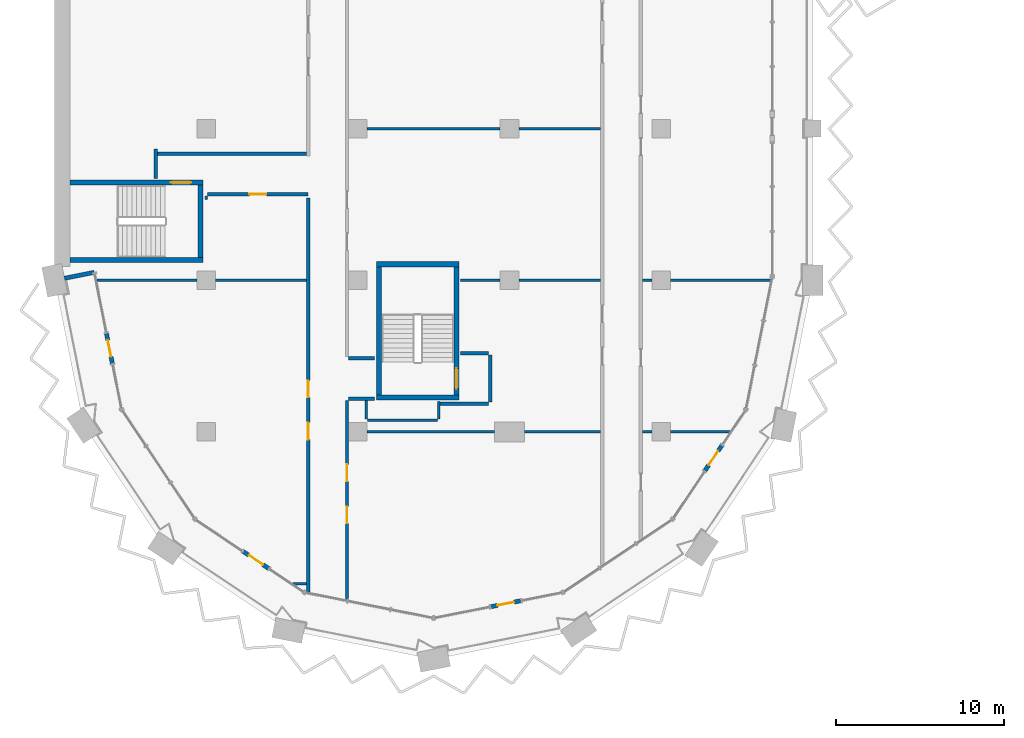
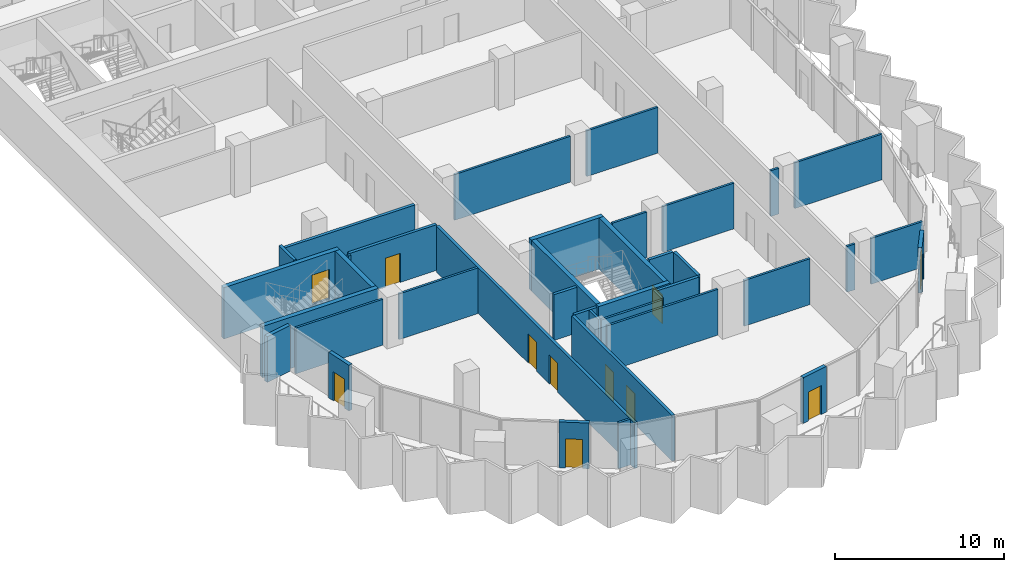
# One storey, part 6 of 18: 39 walls, 11 doors, 11 openings.
"""IFC4 building model written with IfcOpenShell, lengths in metres."""

from ifc_helpers import new_model, si_unit, direction, frame, frame_2d, origin, place, context, subcontext, project, spatial, rectangle, extrude, material, layer, layer_set, type_object, element, fill, save


model = new_model("IFC4")

# Units and contexts
model_context = context("Model", 3, precision=1e-05, world=origin(), true_north=direction((0.0, 1.0)))
body_context = subcontext(model_context, "Body", "Model", "MODEL_VIEW")
ifc_project = project(units=[si_unit("LENGTHUNIT", "METRE"), si_unit("AREAUNIT", "SQUARE_METRE"), si_unit("VOLUMEUNIT", "CUBIC_METRE"), si_unit("PLANEANGLEUNIT", "RADIAN"), si_unit("MASSUNIT", "GRAM", prefix="KILO")], contexts=[model_context])

# Site, building, storey
site_placement = place(None, origin())
site = spatial("IfcSite", under=ifc_project, at=site_placement, CompositionType="ELEMENT")
building_placement = place(site_placement, origin())
building = spatial("IfcBuilding", under=site, at=building_placement, Name="Hunhe Ridgeline Campus", CompositionType="ELEMENT")
storey_placement = place(building_placement, frame((0.0, 0.0, 182.800048828125)))
storey = spatial("IfcBuildingStorey", under=building, at=storey_placement, Name="L46", CompositionType="ELEMENT", Elevation=182.800048828125)

# Walls
ifc_material_1 = material(Name="Concrete C30", Category="concrete")
ifc_layer_1 = layer(ifc_material_1, 0.25)
ifc_layer_set_1 = layer_set([ifc_layer_1], Name="Corner return wall 250 Concrete C30")
wall_type_1 = type_object("IfcWallType", Name="Corner return wall 250 Concrete C30", PredefinedType="SOLIDWALL", material=ifc_layer_set_1)
wall_1_placement = place(storey_placement, frame((0.58837890625, 36.117919921875, 0.0), z_axis=(0.0, 0.0, 1.0), x_axis=(0.980840518545, 0.194812415363, 0.0)))
element("IfcWall", 1, at=wall_1_placement, inside=storey, type_object=wall_type_1, Name="Corner return wall 1", PredefinedType="SOLIDWALL", context=body_context, shape_type="SweptSolid", body=[
    extrude(rectangle(XDim=1.80078125, YDim=0.25, at=frame_2d((0.900390625, 0.0))), origin(), (0.0, 0.0, 1.0), 3.300048828125),
])
ifc_material_2 = material(Name="Gypsum board partition")
ifc_layer_2 = layer(ifc_material_2, 0.199951171875)
ifc_layer_set_2 = layer_set([ifc_layer_2], Name="Corridor partition 200 gypsum board on steel studs")
wall_type_2 = type_object("IfcWallType", Name="Corridor partition 200 gypsum board on steel studs", PredefinedType="PARTITIONING", material=ifc_layer_set_2)
wall_2_placement = place(storey_placement, frame((25.75, 28.675048828125, 0.0), z_axis=(0.0, 0.0, 1.0), x_axis=(-1.0, 0.0, 0.0)))
element("IfcWall", 2, at=wall_2_placement, inside=storey, type_object=wall_type_2, Name="F-L46-wall-007", PredefinedType="PARTITIONING", context=body_context, shape_type="SweptSolid", body=[
    extrude(rectangle(XDim=2.875, YDim=0.199951171875, at=frame_2d((1.4375, 0.0))), origin(), (0.0, 0.0, 1.0), 3.300048828125),
])
for number, where, z_axis, x_axis, name in (
    (3, (18.99609375, 28.97509765625, 0.0), (0.0, 0.0, 1.0), (-1.0, 0.0, 0.0), "F-L46-wall-008"),
    (4, (17.449951171875, 31.375, 0.0), (0.0, 0.0, 1.0), (1.0, 0.0, 0.0), "F-L46-wall-009"),
):
    element("IfcWall", number, at=place(storey_placement, frame(where, z_axis=z_axis, x_axis=x_axis)), inside=storey, type_object=wall_type_2, Name=name, PredefinedType="PARTITIONING", context=body_context, shape_type="SweptSolid", body=[
        extrude(rectangle(XDim=1.546142578125, YDim=0.199951171875, at=frame_2d((0.77294921875, 0.0))), origin(), (0.0, 0.0, 1.0), 3.300048828125),
    ])
wall_3_placement = place(storey_placement, frame((24.10400390625, 31.675048828125, 0.0), z_axis=(0.0, 0.0, 1.0), x_axis=(1.0, 0.0, 0.0)))
element("IfcWall", 5, at=wall_3_placement, inside=storey, type_object=wall_type_2, Name="F-L46-wall-010", PredefinedType="PARTITIONING", context=body_context, shape_type="SweptSolid", body=[
    extrude(rectangle(XDim=1.64599609375, YDim=0.199951171875, at=frame_2d((0.822998046875, 0.0))), origin(), (0.0, 0.0, 1.0), 3.300048828125),
])

# Wall, opening, door
wall_4_placement = place(storey_placement, frame((15.050048828125, 41.10009765625, 0.0), z_axis=(0.0, 0.0, 1.0), x_axis=(-1.0, 0.0, 0.0)))
wall_4 = element("IfcWall", 6, at=wall_4_placement, inside=storey, type_object=wall_type_2, Name="F-L46-wall-017", PredefinedType="PARTITIONING", context=body_context, shape_type="SweptSolid", body=[
    extrude(rectangle(XDim=5.97509765625, YDim=0.199951171875, at=frame_2d((2.987548828125, 0.0))), origin(), (0.0, 0.0, 1.0), 3.300048828125),
])
opening_1_placement = place(wall_4_placement, frame((2.487548828125, 0.0, 0.0)))
opening_1 = element("IfcOpeningElement", 7, at=opening_1_placement, cuts=wall_4, Name="Opening RD1-011", PredefinedType="OPENING", context=body_context, shape_type="SweptSolid", body=[
    extrude(rectangle(XDim=1.0, YDim=2.10009765625, at=frame_2d((0.5, 1.050048828125))), frame((0.0, 0.10009765625, 0.0), z_axis=(0.0, -1.0, 0.0), x_axis=(1.0, 0.0, 0.0)), (0.0, 0.0, 1.0), 0.199951171875),
])
ifc_material_3 = material(Name="Timber door leaf", Category="wood")
door_type_1 = type_object("IfcDoorType", Name="Single fire door 1000x2100 timber FD60", OperationType="NOTDEFINED", PredefinedType="DOOR", material=ifc_material_3)
door_1_placement = place(opening_1_placement, origin())
door_1 = element("IfcDoor", 8, at=door_1_placement, inside=storey, type_object=door_type_1, Name="F-L46-door-011", OperationType="SINGLE_SWING_LEFT", OverallHeight=2.10009765625, OverallWidth=1.0, PredefinedType="DOOR", context=body_context, shape_type="SweptSolid", body=[
    extrude(rectangle(XDim=1.0, YDim=2.10009765625, at=frame_2d((0.5, 1.050048828125))), frame((0.0, 0.02490234375, 0.0), z_axis=(0.0, -1.0, 0.0), x_axis=(1.0, 0.0, 0.0)), (0.0, 0.0, 1.0), 0.050048828125),
])
fill(opening_1, door_1)

# Walls
wall_5_placement = place(storey_placement, frame((6.10009765625, 43.5, 0.0), z_axis=(0.0, 0.0, 1.0), x_axis=(1.0, 0.0, 0.0)))
element("IfcWall", 9, at=wall_5_placement, inside=storey, type_object=wall_type_2, Name="F-L46-wall-018", PredefinedType="PARTITIONING", context=body_context, shape_type="SweptSolid", body=[
    extrude(rectangle(XDim=8.849853515625, YDim=0.199951171875, at=frame_2d((4.4248046875, 0.0))), origin(), (0.0, 0.0, 1.0), 3.300048828125),
])
wall_6_placement = place(storey_placement, frame((6.0, 42.053955078125, 0.0), z_axis=(0.0, 0.0, 1.0), x_axis=(0.0, 1.0, 0.0)))
element("IfcWall", 10, at=wall_6_placement, inside=storey, type_object=wall_type_2, Name="F-L46-wall-035", PredefinedType="PARTITIONING", context=body_context, shape_type="SweptSolid", body=[
    extrude(rectangle(XDim=1.74609375, YDim=0.199951171875, at=frame_2d((0.873046875, 0.0))), origin(), (0.0, 0.0, 1.0), 3.300048828125),
])

# Wall, openings, doors
wall_7_placement = place(storey_placement, frame((15.050048828125, 17.485107421875, 0.0), z_axis=(0.0, 0.0, 1.0), x_axis=(0.0, 1.0, 0.0)))
wall_7 = element("IfcWall", 11, at=wall_7_placement, inside=storey, type_object=wall_type_2, Name="F-L46-wall-037", PredefinedType="PARTITIONING", context=body_context, shape_type="SweptSolid", body=[
    extrude(rectangle(XDim=23.39990234375, YDim=0.199951171875, at=frame_2d((11.699951171875, 0.0))), origin(), (0.0, 0.0, 1.0), 3.300048828125),
])
opening_2_placement = place(wall_7_placement, frame((9.061279296875, 0.0, 0.0)))
opening_2 = element("IfcOpeningElement", 12, at=opening_2_placement, cuts=wall_7, Name="Opening RD1-004", PredefinedType="OPENING", context=body_context, shape_type="SweptSolid", body=[
    extrude(rectangle(XDim=1.0, YDim=2.10009765625, at=frame_2d((0.5, 1.050048828125))), frame((0.0, 0.10009765625, 0.0), z_axis=(0.0, -1.0, 0.0), x_axis=(1.0, 0.0, 0.0)), (0.0, 0.0, 1.0), 0.199951171875),
])
opening_3_placement = place(wall_7_placement, frame((11.561279296875, 0.0, 0.0)))
opening_3 = element("IfcOpeningElement", 13, at=opening_3_placement, cuts=wall_7, Name="Opening RD1-005", PredefinedType="OPENING", context=body_context, shape_type="SweptSolid", body=[
    extrude(rectangle(XDim=1.0, YDim=2.10009765625, at=frame_2d((0.5, 1.050048828125))), frame((0.0, 0.10009765625, 0.0), z_axis=(0.0, -1.0, 0.0), x_axis=(1.0, 0.0, 0.0)), (0.0, 0.0, 1.0), 0.199951171875),
])
door_2_placement = place(opening_2_placement, frame((1.0, 0.0, 0.0), z_axis=(0.0, 0.0, 1.0), x_axis=(-1.0, 0.0, 0.0)))
door_2 = element("IfcDoor", 14, at=door_2_placement, inside=storey, type_object=door_type_1, Name="F-L46-door-004", OperationType="SINGLE_SWING_LEFT", OverallHeight=2.10009765625, OverallWidth=1.0, PredefinedType="DOOR", context=body_context, shape_type="SweptSolid", body=[
    extrude(rectangle(XDim=1.0, YDim=2.10009765625, at=frame_2d((0.5, 1.050048828125))), frame((0.0, 0.02490234375, 0.0), z_axis=(0.0, -1.0, 0.0), x_axis=(1.0, 0.0, 0.0)), (0.0, 0.0, 1.0), 0.050048828125),
])
fill(opening_2, door_2)
door_3_placement = place(opening_3_placement, frame((1.0, 0.0, 0.0), z_axis=(0.0, 0.0, 1.0), x_axis=(-1.0, 0.0, 0.0)))
door_3 = element("IfcDoor", 15, at=door_3_placement, inside=storey, type_object=door_type_1, Name="F-L46-door-005", OperationType="SINGLE_SWING_LEFT", OverallHeight=2.10009765625, OverallWidth=1.0, PredefinedType="DOOR", context=body_context, shape_type="SweptSolid", body=[
    extrude(rectangle(XDim=1.0, YDim=2.10009765625, at=frame_2d((0.5, 1.050048828125))), frame((0.0, 0.02490234375, 0.0), z_axis=(0.0, -1.0, 0.0), x_axis=(1.0, 0.0, 0.0)), (0.0, 0.0, 1.0), 0.050048828125),
])
fill(opening_3, door_3)

wall_8_placement = place(storey_placement, frame((17.35009765625, 28.875, 0.0), z_axis=(0.0, 0.0, 1.0), x_axis=(0.0, -1.0, 0.0)))
wall_8 = element("IfcWall", 16, at=wall_8_placement, inside=storey, type_object=wall_type_2, Name="F-L46-wall-039", PredefinedType="PARTITIONING", context=body_context, shape_type="SweptSolid", body=[
    extrude(rectangle(XDim=11.847412109375, YDim=0.199951171875, at=frame_2d((5.923828125, 0.0))), origin(), (0.0, 0.0, 1.0), 3.300048828125),
])
opening_4_placement = place(wall_8_placement, frame((6.305908203125, 0.0, 0.0)))
opening_4 = element("IfcOpeningElement", 17, at=opening_4_placement, cuts=wall_8, Name="Opening RD1-001", PredefinedType="OPENING", context=body_context, shape_type="SweptSolid", body=[
    extrude(rectangle(XDim=1.0, YDim=2.10009765625, at=frame_2d((0.5, 1.050048828125))), frame((0.0, 0.10009765625, 0.0), z_axis=(0.0, -1.0, 0.0), x_axis=(1.0, 0.0, 0.0)), (0.0, 0.0, 1.0), 0.199951171875),
])
opening_5_placement = place(wall_8_placement, frame((3.805908203125, 0.0, 0.0)))
opening_5 = element("IfcOpeningElement", 18, at=opening_5_placement, cuts=wall_8, Name="Opening RD1-003", PredefinedType="OPENING", context=body_context, shape_type="SweptSolid", body=[
    extrude(rectangle(XDim=1.0, YDim=2.10009765625, at=frame_2d((0.5, 1.050048828125))), frame((0.0, 0.10009765625, 0.0), z_axis=(0.0, -1.0, 0.0), x_axis=(1.0, 0.0, 0.0)), (0.0, 0.0, 1.0), 0.199951171875),
])
door_4_placement = place(opening_4_placement, frame((1.0, 0.0, 0.0), z_axis=(0.0, 0.0, 1.0), x_axis=(-1.0, 0.0, 0.0)))
door_4 = element("IfcDoor", 19, at=door_4_placement, inside=storey, type_object=door_type_1, Name="F-L46-door-001", OperationType="SINGLE_SWING_RIGHT", OverallHeight=2.10009765625, OverallWidth=1.0, PredefinedType="DOOR", context=body_context, shape_type="SweptSolid", body=[
    extrude(rectangle(XDim=1.0, YDim=2.10009765625, at=frame_2d((0.5, 1.050048828125))), frame((0.0, 0.02490234375, 0.0), z_axis=(0.0, -1.0, 0.0), x_axis=(1.0, 0.0, 0.0)), (0.0, 0.0, 1.0), 0.050048828125),
])
fill(opening_4, door_4)
door_5_placement = place(opening_5_placement, frame((1.0, 0.0, 0.0), z_axis=(0.0, 0.0, 1.0), x_axis=(-1.0, 0.0, 0.0)))
door_5 = element("IfcDoor", 20, at=door_5_placement, inside=storey, type_object=door_type_1, Name="F-L46-door-003", OperationType="SINGLE_SWING_RIGHT", OverallHeight=2.10009765625, OverallWidth=1.0, PredefinedType="DOOR", context=body_context, shape_type="SweptSolid", body=[
    extrude(rectangle(XDim=1.0, YDim=2.10009765625, at=frame_2d((0.5, 1.050048828125))), frame((0.0, 0.02490234375, 0.0), z_axis=(0.0, -1.0, 0.0), x_axis=(1.0, 0.0, 0.0)), (0.0, 0.0, 1.0), 0.050048828125),
])
fill(opening_5, door_5)

# Wall
wall_9_placement = place(storey_placement, frame((25.85009765625, 31.574951171875, 0.0), z_axis=(0.0, 0.0, 1.0), x_axis=(0.0, -1.0, 0.0)))
element("IfcWall", 21, at=wall_9_placement, inside=storey, type_object=wall_type_2, Name="F-L46-wall-043", PredefinedType="PARTITIONING", context=body_context, shape_type="SweptSolid", body=[
    extrude(rectangle(XDim=2.800048828125, YDim=0.199951171875, at=frame_2d((1.39990234375, 0.0))), origin(), (0.0, 0.0, 1.0), 3.300048828125),
])

# Wall, opening, door
ifc_layer_3 = layer(ifc_material_1, 0.25)
ifc_layer_set_3 = layer_set([ifc_layer_3], Name="Loggia door pier wall 250 Concrete C30")
wall_type_3 = type_object("IfcWallType", Name="Loggia door pier wall 250 Concrete C30", PredefinedType="SOLIDWALL", material=ifc_layer_set_3)
wall_10_placement = place(storey_placement, frame((3.076904296875, 32.8388671875, 0.0), z_axis=(0.0, 0.0, 1.0), x_axis=(0.195046569833, -0.980793982239, 0.0)))
wall_10 = element("IfcWall", 22, at=wall_10_placement, inside=storey, type_object=wall_type_3, Name="Loggia door pier 1", PredefinedType="SOLIDWALL", context=body_context, shape_type="SweptSolid", body=[
    extrude(rectangle(XDim=1.800048828125, YDim=0.25, at=frame_2d((0.89990234375, 0.0))), origin(), (0.0, 0.0, 1.0), 3.300048828125),
])
opening_6_placement = place(wall_10_placement, frame((0.39990234375, 0.0, 0.0)))
opening_6 = element("IfcOpeningElement", 23, at=opening_6_placement, cuts=wall_10, Name="Opening BD401", PredefinedType="OPENING", context=body_context, shape_type="SweptSolid", body=[
    extrude(rectangle(XDim=1.0, YDim=2.10009765625, at=frame_2d((0.5, 1.050048828125))), frame((0.0, 0.125, 0.0), z_axis=(0.0, -1.0, 0.0), x_axis=(1.0, 0.0, 0.0)), (0.0, 0.0, 1.0), 0.25),
])
ifc_material_4 = material(Name="Aluminium 6063", Category="aluminium")
door_type_2 = type_object("IfcDoorType", Name="Loggia glazed door 1000x2100", OperationType="NOTDEFINED", PredefinedType="DOOR", material=ifc_material_4)
door_6_placement = place(opening_6_placement, frame((1.0, 0.0, 0.0), z_axis=(0.0, 0.0, 1.0), x_axis=(-1.0, 0.0, 0.0)))
door_6 = element("IfcDoor", 24, at=door_6_placement, inside=storey, type_object=door_type_2, Name="Loggia door BD401", OperationType="SINGLE_SWING_RIGHT", OverallHeight=2.10009765625, OverallWidth=1.0, PredefinedType="DOOR", context=body_context, shape_type="SweptSolid", body=[
    extrude(rectangle(XDim=1.0, YDim=2.10009765625, at=frame_2d((0.5, 1.050048828125))), frame((0.0, 0.02490234375, 0.0), z_axis=(0.0, -1.0, 0.0), x_axis=(1.0, 0.0, 0.0)), (0.0, 0.0, 1.0), 0.050048828125),
])
fill(opening_6, door_6)

wall_11_placement = place(storey_placement, frame((11.19970703125, 19.897705078125, 0.0), z_axis=(0.0, 0.0, 1.0), x_axis=(0.83146554274, -0.555576323502, 0.0)))
wall_11 = element("IfcWall", 25, at=wall_11_placement, inside=storey, type_object=wall_type_3, Name="Loggia door pier 2", PredefinedType="SOLIDWALL", context=body_context, shape_type="SweptSolid", body=[
    extrude(rectangle(XDim=1.800048828125, YDim=0.25, at=frame_2d((0.89990234375, 0.0))), origin(), (0.0, 0.0, 1.0), 3.300048828125),
])
opening_7_placement = place(wall_11_placement, frame((0.39990234375, 0.0, 0.0)))
opening_7 = element("IfcOpeningElement", 26, at=opening_7_placement, cuts=wall_11, Name="Opening BD402", PredefinedType="OPENING", context=body_context, shape_type="SweptSolid", body=[
    extrude(rectangle(XDim=1.0, YDim=2.10009765625, at=frame_2d((0.5, 1.050048828125))), frame((0.0, 0.125, 0.0), z_axis=(0.0, -1.0, 0.0), x_axis=(1.0, 0.0, 0.0)), (0.0, 0.0, 1.0), 0.25),
])
door_7_placement = place(opening_7_placement, frame((1.0, 0.0, 0.0), z_axis=(0.0, 0.0, 1.0), x_axis=(-1.0, 0.0, 0.0)))
door_7 = element("IfcDoor", 27, at=door_7_placement, inside=storey, type_object=door_type_2, Name="Loggia door BD402", OperationType="SINGLE_SWING_LEFT", OverallHeight=2.10009765625, OverallWidth=1.0, PredefinedType="DOOR", context=body_context, shape_type="SweptSolid", body=[
    extrude(rectangle(XDim=1.0, YDim=2.10009765625, at=frame_2d((0.5, 1.050048828125))), frame((0.0, 0.02490234375, 0.0), z_axis=(0.0, -1.0, 0.0), x_axis=(1.0, 0.0, 0.0)), (0.0, 0.0, 1.0), 0.050048828125),
])
fill(opening_7, door_7)

wall_12_placement = place(storey_placement, frame((25.8955078125, 16.62353515625, 0.0), z_axis=(0.0, 0.0, 1.0), x_axis=(0.980793982239, 0.195046569833, 0.0)))
wall_12 = element("IfcWall", 28, at=wall_12_placement, inside=storey, type_object=wall_type_3, Name="Loggia door pier 3", PredefinedType="SOLIDWALL", context=body_context, shape_type="SweptSolid", body=[
    extrude(rectangle(XDim=1.800048828125, YDim=0.25, at=frame_2d((0.89990234375, 0.0))), origin(), (0.0, 0.0, 1.0), 3.300048828125),
])
opening_8_placement = place(wall_12_placement, frame((0.39990234375, 0.0, 0.0)))
opening_8 = element("IfcOpeningElement", 29, at=opening_8_placement, cuts=wall_12, Name="Opening BD403", PredefinedType="OPENING", context=body_context, shape_type="SweptSolid", body=[
    extrude(rectangle(XDim=1.0, YDim=2.10009765625, at=frame_2d((0.5, 1.050048828125))), frame((0.0, 0.125, 0.0), z_axis=(0.0, -1.0, 0.0), x_axis=(1.0, 0.0, 0.0)), (0.0, 0.0, 1.0), 0.25),
])
door_8_placement = place(opening_8_placement, frame((1.0, 0.0, 0.0), z_axis=(0.0, 0.0, 1.0), x_axis=(-1.0, 0.0, 0.0)))
door_8 = element("IfcDoor", 30, at=door_8_placement, inside=storey, type_object=door_type_2, Name="Loggia door BD403", OperationType="SINGLE_SWING_RIGHT", OverallHeight=2.10009765625, OverallWidth=1.0, PredefinedType="DOOR", context=body_context, shape_type="SweptSolid", body=[
    extrude(rectangle(XDim=1.0, YDim=2.10009765625, at=frame_2d((0.5, 1.050048828125))), frame((0.0, 0.02490234375, 0.0), z_axis=(0.0, -1.0, 0.0), x_axis=(1.0, 0.0, 0.0)), (0.0, 0.0, 1.0), 0.050048828125),
])
fill(opening_8, door_8)

wall_13_placement = place(storey_placement, frame((38.602294921875, 24.69970703125, 0.0), z_axis=(0.0, 0.0, 1.0), x_axis=(0.555576323502, 0.83146554274, 0.0)))
wall_13 = element("IfcWall", 31, at=wall_13_placement, inside=storey, type_object=wall_type_3, Name="Loggia door pier 4", PredefinedType="SOLIDWALL", context=body_context, shape_type="SweptSolid", body=[
    extrude(rectangle(XDim=1.800048828125, YDim=0.25, at=frame_2d((0.89990234375, 0.0))), origin(), (0.0, 0.0, 1.0), 3.300048828125),
])
opening_9_placement = place(wall_13_placement, frame((0.39990234375, 0.0, 0.0)))
opening_9 = element("IfcOpeningElement", 32, at=opening_9_placement, cuts=wall_13, Name="Opening BD404", PredefinedType="OPENING", context=body_context, shape_type="SweptSolid", body=[
    extrude(rectangle(XDim=1.0, YDim=2.10009765625, at=frame_2d((0.5, 1.050048828125))), frame((0.0, 0.125, 0.0), z_axis=(0.0, -1.0, 0.0), x_axis=(1.0, 0.0, 0.0)), (0.0, 0.0, 1.0), 0.25),
])
door_9_placement = place(opening_9_placement, frame((1.0, 0.0, 0.0), z_axis=(0.0, 0.0, 1.0), x_axis=(-1.0, 0.0, 0.0)))
door_9 = element("IfcDoor", 33, at=door_9_placement, inside=storey, type_object=door_type_2, Name="Loggia door BD404", OperationType="SINGLE_SWING_LEFT", OverallHeight=2.10009765625, OverallWidth=1.0, PredefinedType="DOOR", context=body_context, shape_type="SweptSolid", body=[
    extrude(rectangle(XDim=1.0, YDim=2.10009765625, at=frame_2d((0.5, 1.050048828125))), frame((0.0, 0.02490234375, 0.0), z_axis=(0.0, -1.0, 0.0), x_axis=(1.0, 0.0, 0.0)), (0.0, 0.0, 1.0), 0.050048828125),
])
fill(opening_9, door_9)

# Walls
ifc_layer_4 = layer(ifc_material_2, 0.14990234375)
ifc_layer_set_4 = layer_set([ifc_layer_4], Name="Room partition 150 gypsum board on steel studs")
wall_type_4 = type_object("IfcWallType", Name="Room partition 150 gypsum board on steel studs", PredefinedType="PARTITIONING", material=ifc_layer_set_4)
wall_14_placement = place(storey_placement, frame((14.136962890625, 18.0, 0.0), z_axis=(0.0, 0.0, 1.0), x_axis=(1.0, 0.0, 0.0)))
element("IfcWall", 34, at=wall_14_placement, inside=storey, type_object=wall_type_4, Name="F-L46-wall-001", PredefinedType="PARTITIONING", context=body_context, shape_type="SweptSolid", body=[
    extrude(rectangle(XDim=0.81298828125, YDim=0.14990234375, at=frame_2d((0.406494140625, 0.0))), origin(), (0.0, 0.0, 1.0), 3.300048828125),
])
wall_15_placement = place(storey_placement, frame((18.550048828125, 27.0, 0.0), z_axis=(0.0, 0.0, 1.0), x_axis=(1.0, 0.0, 0.0)))
element("IfcWall", 35, at=wall_15_placement, inside=storey, type_object=wall_type_4, Name="F-L46-wall-002", PredefinedType="PARTITIONING", context=body_context, shape_type="SweptSolid", body=[
    extrude(rectangle(XDim=7.550048828125, YDim=0.14990234375, at=frame_2d((3.77490234375, 0.0))), origin(), (0.0, 0.0, 1.0), 3.300048828125),
])
wall_16_placement = place(storey_placement, frame((27.89990234375, 27.0, 0.0), z_axis=(0.0, 0.0, 1.0), x_axis=(1.0, 0.0, 0.0)))
element("IfcWall", 36, at=wall_16_placement, inside=storey, type_object=wall_type_4, Name="F-L46-wall-003", PredefinedType="PARTITIONING", context=body_context, shape_type="SweptSolid", body=[
    extrude(rectangle(XDim=4.5, YDim=0.14990234375, at=frame_2d((2.25, 0.0))), origin(), (0.0, 0.0, 1.0), 3.300048828125),
])
wall_17_placement = place(storey_placement, frame((34.89990234375, 27.0, 0.0), z_axis=(0.0, 0.0, 1.0), x_axis=(1.0, 0.0, 0.0)))
element("IfcWall", 37, at=wall_17_placement, inside=storey, type_object=wall_type_4, Name="F-L46-wall-004", PredefinedType="PARTITIONING", context=body_context, shape_type="SweptSolid", body=[
    extrude(rectangle(XDim=0.550048828125, YDim=0.14990234375, at=frame_2d((0.27490234375, 0.0))), origin(), (0.0, 0.0, 1.0), 3.300048828125),
])
wall_18_placement = place(storey_placement, frame((36.550048828125, 27.0, 0.0), z_axis=(0.0, 0.0, 1.0), x_axis=(1.0, 0.0, 0.0)))
element("IfcWall", 38, at=wall_18_placement, inside=storey, type_object=wall_type_4, Name="F-L46-wall-005", PredefinedType="PARTITIONING", context=body_context, shape_type="SweptSolid", body=[
    extrude(rectangle(XDim=3.5244140625, YDim=0.14990234375, at=frame_2d((1.76220703125, 0.0))), origin(), (0.0, 0.0, 1.0), 3.300048828125),
])
wall_19_placement = place(storey_placement, frame((18.574951171875, 27.68994140625, 0.0), z_axis=(0.0, 0.0, 1.0), x_axis=(1.0, 0.0, 0.0)))
element("IfcWall", 39, at=wall_19_placement, inside=storey, type_object=wall_type_4, Name="F-L46-wall-006", PredefinedType="PARTITIONING", context=body_context, shape_type="SweptSolid", body=[
    extrude(rectangle(XDim=4.150146484375, YDim=0.14990234375, at=frame_2d((2.0751953125, 0.0))), origin(), (0.0, 0.0, 1.0), 3.300048828125),
])
wall_20_placement = place(storey_placement, frame((2.503173828125, 36.0, 0.0), z_axis=(0.0, 0.0, 1.0), x_axis=(1.0, 0.0, 0.0)))
element("IfcWall", 40, at=wall_20_placement, inside=storey, type_object=wall_type_4, Name="F-L46-wall-011", PredefinedType="PARTITIONING", context=body_context, shape_type="SweptSolid", body=[
    extrude(rectangle(XDim=5.94677734375, YDim=0.14990234375, at=frame_2d((2.973388671875, 0.0))), origin(), (0.0, 0.0, 1.0), 3.300048828125),
])
wall_21_placement = place(storey_placement, frame((9.550048828125, 36.0, 0.0), z_axis=(0.0, 0.0, 1.0), x_axis=(1.0, 0.0, 0.0)))
element("IfcWall", 41, at=wall_21_placement, inside=storey, type_object=wall_type_4, Name="F-L46-wall-012", PredefinedType="PARTITIONING", context=body_context, shape_type="SweptSolid", body=[
    extrude(rectangle(XDim=5.39990234375, YDim=0.14990234375, at=frame_2d((2.699951171875, 0.0))), origin(), (0.0, 0.0, 1.0), 3.300048828125),
])
wall_22_placement = place(storey_placement, frame((24.10400390625, 36.0, 0.0), z_axis=(0.0, 0.0, 1.0), x_axis=(1.0, 0.0, 0.0)))
element("IfcWall", 42, at=wall_22_placement, inside=storey, type_object=wall_type_4, Name="F-L46-wall-013", PredefinedType="PARTITIONING", context=body_context, shape_type="SweptSolid", body=[
    extrude(rectangle(XDim=2.345947265625, YDim=0.14990234375, at=frame_2d((1.1728515625, 0.0))), origin(), (0.0, 0.0, 1.0), 3.300048828125),
])
wall_23_placement = place(storey_placement, frame((27.550048828125, 36.0, 0.0), z_axis=(0.0, 0.0, 1.0), x_axis=(1.0, 0.0, 0.0)))
element("IfcWall", 43, at=wall_23_placement, inside=storey, type_object=wall_type_4, Name="F-L46-wall-014", PredefinedType="PARTITIONING", context=body_context, shape_type="SweptSolid", body=[
    extrude(rectangle(XDim=4.849853515625, YDim=0.14990234375, at=frame_2d((2.4248046875, 0.0))), origin(), (0.0, 0.0, 1.0), 3.300048828125),
])
wall_24_placement = place(storey_placement, frame((34.89990234375, 36.0, 0.0), z_axis=(0.0, 0.0, 1.0), x_axis=(1.0, 0.0, 0.0)))
element("IfcWall", 44, at=wall_24_placement, inside=storey, type_object=wall_type_4, Name="F-L46-wall-015", PredefinedType="PARTITIONING", context=body_context, shape_type="SweptSolid", body=[
    extrude(rectangle(XDim=0.550048828125, YDim=0.14990234375, at=frame_2d((0.27490234375, 0.0))), origin(), (0.0, 0.0, 1.0), 3.300048828125),
])
wall_25_placement = place(storey_placement, frame((36.550048828125, 36.0, 0.0), z_axis=(0.0, 0.0, 1.0), x_axis=(1.0, 0.0, 0.0)))
element("IfcWall", 45, at=wall_25_placement, inside=storey, type_object=wall_type_4, Name="F-L46-wall-016", PredefinedType="PARTITIONING", context=body_context, shape_type="SweptSolid", body=[
    extrude(rectangle(XDim=5.94677734375, YDim=0.14990234375, at=frame_2d((2.973388671875, 0.0))), origin(), (0.0, 0.0, 1.0), 3.300048828125),
])
wall_26_placement = place(storey_placement, frame((18.550048828125, 45.0, 0.0), z_axis=(0.0, 0.0, 1.0), x_axis=(1.0, 0.0, 0.0)))
element("IfcWall", 46, at=wall_26_placement, inside=storey, type_object=wall_type_4, Name="F-L46-wall-019", PredefinedType="PARTITIONING", context=body_context, shape_type="SweptSolid", body=[
    extrude(rectangle(XDim=7.89990234375, YDim=0.14990234375, at=frame_2d((3.949951171875, 0.0))), origin(), (0.0, 0.0, 1.0), 3.300048828125),
])
wall_27_placement = place(storey_placement, frame((27.550048828125, 45.0, 0.0), z_axis=(0.0, 0.0, 1.0), x_axis=(1.0, 0.0, 0.0)))
element("IfcWall", 47, at=wall_27_placement, inside=storey, type_object=wall_type_4, Name="F-L46-wall-020", PredefinedType="PARTITIONING", context=body_context, shape_type="SweptSolid", body=[
    extrude(rectangle(XDim=4.849853515625, YDim=0.14990234375, at=frame_2d((2.4248046875, 0.0))), origin(), (0.0, 0.0, 1.0), 3.300048828125),
])
wall_28_placement = place(storey_placement, frame((9.0, 41.0, 0.0), z_axis=(0.0, 0.0, 1.0), x_axis=(0.0, -1.0, 0.0)))
element("IfcWall", 48, at=wall_28_placement, inside=storey, type_object=wall_type_4, Name="F-L46-wall-036", PredefinedType="PARTITIONING", context=body_context, shape_type="SweptSolid", body=[
    extrude(rectangle(XDim=0.199951171875, YDim=0.14990234375, at=frame_2d((0.10009765625, 0.0))), origin(), (0.0, 0.0, 1.0), 3.300048828125),
])
wall_29_placement = place(storey_placement, frame((18.5, 28.875, 0.0), z_axis=(0.0, 0.0, 1.0), x_axis=(0.0, -1.0, 0.0)))
element("IfcWall", 49, at=wall_29_placement, inside=storey, type_object=wall_type_4, Name="F-L46-wall-041", PredefinedType="PARTITIONING", context=body_context, shape_type="SweptSolid", body=[
    extrude(rectangle(XDim=1.110107421875, YDim=0.14990234375, at=frame_2d((0.55517578125, 0.0))), origin(), (0.0, 0.0, 1.0), 3.300048828125),
])
wall_30_placement = place(storey_placement, frame((22.800048828125, 28.7958984375, 0.0), z_axis=(0.0, 0.0, 1.0), x_axis=(0.0, -1.0, 0.0)))
element("IfcWall", 50, at=wall_30_placement, inside=storey, type_object=wall_type_4, Name="F-L46-wall-042", PredefinedType="PARTITIONING", context=body_context, shape_type="SweptSolid", body=[
    extrude(rectangle(XDim=1.031005859375, YDim=0.14990234375, at=frame_2d((0.515625, 0.0))), origin(), (0.0, 0.0, 1.0), 3.300048828125),
])
ifc_material_5 = material(Name="Concrete C60", Category="concrete")
ifc_layer_5 = layer(ifc_material_5, 0.300048828125)
ifc_layer_set_5 = layer_set([ifc_layer_5], Name="Stair wall 300 reinforced concrete C60")
wall_type_5 = type_object("IfcWallType", Name="Stair wall 300 reinforced concrete C60", PredefinedType="SOLIDWALL", material=ifc_layer_set_5)
for number, where, z_axis, x_axis, name in (
    (51, (19.10009765625, 29.050048828125, -0.400146484375), (0.0, 0.0, 1.0), (1.0, 0.0, 0.0), "L46 core wall 1"),
    (52, (19.10009765625, 36.949951171875, -0.400146484375), (0.0, 0.0, 1.0), (1.0, 0.0, 0.0), "L46 core wall 2"),
):
    element("IfcWall", number, at=place(storey_placement, frame(where, z_axis=z_axis, x_axis=x_axis)), inside=storey, type_object=wall_type_5, Name=name, PredefinedType="SOLIDWALL", context=body_context, shape_type="SweptSolid", body=[
        extrude(rectangle(XDim=4.89990234375, YDim=0.300048828125, at=frame_2d((2.449951171875, 0.0))), origin(), (0.0, 0.0, 1.0), 3.7001953125),
    ])
wall_31_placement = place(storey_placement, frame((0.89990234375, 37.199951171875, -0.400146484375), z_axis=(0.0, 0.0, 1.0), x_axis=(1.0, 0.0, 0.0)))
element("IfcWall", 53, at=wall_31_placement, inside=storey, type_object=wall_type_5, Name="L46 core wall 3", PredefinedType="SOLIDWALL", context=body_context, shape_type="SweptSolid", body=[
    extrude(rectangle(XDim=7.900146484375, YDim=0.300048828125, at=frame_2d((3.9501953125, 0.0))), origin(), (0.0, 0.0, 1.0), 3.7001953125),
])

# Wall, opening, door
wall_32_placement = place(storey_placement, frame((0.89990234375, 41.800048828125, -0.400146484375), z_axis=(0.0, 0.0, 1.0), x_axis=(1.0, 0.0, 0.0)))
wall_32 = element("IfcWall", 54, at=wall_32_placement, inside=storey, type_object=wall_type_5, Name="L46 core wall 4", PredefinedType="SOLIDWALL", context=body_context, shape_type="SweptSolid", body=[
    extrude(rectangle(XDim=7.900146484375, YDim=0.300048828125, at=frame_2d((3.9501953125, 0.0))), origin(), (0.0, 0.0, 1.0), 3.7001953125),
])
opening_10_placement = place(wall_32_placement, frame((6.0, 0.0, 0.39990234375)))
opening_10 = element("IfcOpeningElement", 55, at=opening_10_placement, cuts=wall_32, Name="Opening CD21", PredefinedType="OPENING", context=body_context, shape_type="SweptSolid", body=[
    extrude(rectangle(XDim=1.199951171875, YDim=2.10009765625, at=frame_2d((0.60009765625, 1.050048828125))), frame((0.0, 0.14990234375, 0.0), z_axis=(0.0, -1.0, 0.0), x_axis=(1.0, 0.0, 0.0)), (0.0, 0.0, 1.0), 0.300048828125),
])
ifc_material_6 = material(Name="Hollow metal fire door leaf")
door_type_3 = type_object("IfcDoorType", Name="Stair door 1200x2100 FD60", OperationType="SINGLE_SWING_LEFT", PredefinedType="DOOR", material=ifc_material_6)
door_10_placement = place(opening_10_placement, origin())
door_10 = element("IfcDoor", 56, at=door_10_placement, inside=storey, type_object=door_type_3, Name="L46 door W1", OperationType="SINGLE_SWING_LEFT", OverallHeight=2.10009765625, OverallWidth=1.199951171875, PredefinedType="DOOR", context=body_context, shape_type="SweptSolid", body=[
    extrude(rectangle(XDim=1.199951171875, YDim=2.10009765625, at=frame_2d((0.60009765625, 1.050048828125))), frame((0.0, 0.02490234375, 0.0), z_axis=(0.0, -1.0, 0.0), x_axis=(1.0, 0.0, 0.0)), (0.0, 0.0, 1.0), 0.050048828125),
])
fill(opening_10, door_10)

# Walls
wall_33_placement = place(storey_placement, frame((8.64990234375, 37.35009765625, -0.400146484375), z_axis=(0.0, 0.0, 1.0), x_axis=(0.0, 1.0, 0.0)))
element("IfcWall", 57, at=wall_33_placement, inside=storey, type_object=wall_type_5, Name="L46 core wall 33", PredefinedType="SOLIDWALL", context=body_context, shape_type="SweptSolid", body=[
    extrude(rectangle(XDim=4.2998046875, YDim=0.300048828125, at=frame_2d((2.14990234375, 0.0))), origin(), (0.0, 0.0, 1.0), 3.7001953125),
])
wall_34_placement = place(storey_placement, frame((19.25, 29.199951171875, -0.400146484375), z_axis=(0.0, 0.0, 1.0), x_axis=(0.0, 1.0, 0.0)))
element("IfcWall", 58, at=wall_34_placement, inside=storey, type_object=wall_type_5, Name="L46 core wall 43", PredefinedType="SOLIDWALL", context=body_context, shape_type="SweptSolid", body=[
    extrude(rectangle(XDim=7.60009765625, YDim=0.300048828125, at=frame_2d((3.800048828125, 0.0))), origin(), (0.0, 0.0, 1.0), 3.7001953125),
])

# Wall, opening, door
wall_35_placement = place(storey_placement, frame((23.85009765625, 29.199951171875, -0.400146484375), z_axis=(0.0, 0.0, 1.0), x_axis=(0.0, 1.0, 0.0)))
wall_35 = element("IfcWall", 59, at=wall_35_placement, inside=storey, type_object=wall_type_5, Name="L46 core wall 47", PredefinedType="SOLIDWALL", context=body_context, shape_type="SweptSolid", body=[
    extrude(rectangle(XDim=7.60009765625, YDim=0.300048828125, at=frame_2d((3.800048828125, 0.0))), origin(), (0.0, 0.0, 1.0), 3.7001953125),
])
opening_11_placement = place(wall_35_placement, frame((0.375, 0.0, 0.39990234375)))
opening_11 = element("IfcOpeningElement", 60, at=opening_11_placement, cuts=wall_35, Name="Opening CD23", PredefinedType="OPENING", context=body_context, shape_type="SweptSolid", body=[
    extrude(rectangle(XDim=1.199951171875, YDim=2.10009765625, at=frame_2d((0.60009765625, 1.050048828125))), frame((0.0, 0.14990234375, 0.0), z_axis=(0.0, -1.0, 0.0), x_axis=(1.0, 0.0, 0.0)), (0.0, 0.0, 1.0), 0.300048828125),
])
door_11_placement = place(opening_11_placement, frame((1.199951171875, 0.0, 0.0), z_axis=(0.0, 0.0, 1.0), x_axis=(-1.0, 0.0, 0.0)))
door_11 = element("IfcDoor", 61, at=door_11_placement, inside=storey, type_object=door_type_3, Name="L46 door W3", OperationType="SINGLE_SWING_RIGHT", OverallHeight=2.10009765625, OverallWidth=1.199951171875, PredefinedType="DOOR", context=body_context, shape_type="SweptSolid", body=[
    extrude(rectangle(XDim=1.199951171875, YDim=2.10009765625, at=frame_2d((0.60009765625, 1.050048828125))), frame((0.0, 0.02490234375, 0.0), z_axis=(0.0, -1.0, 0.0), x_axis=(1.0, 0.0, 0.0)), (0.0, 0.0, 1.0), 0.050048828125),
])
fill(opening_11, door_11)

save(model, "model.ifc")
